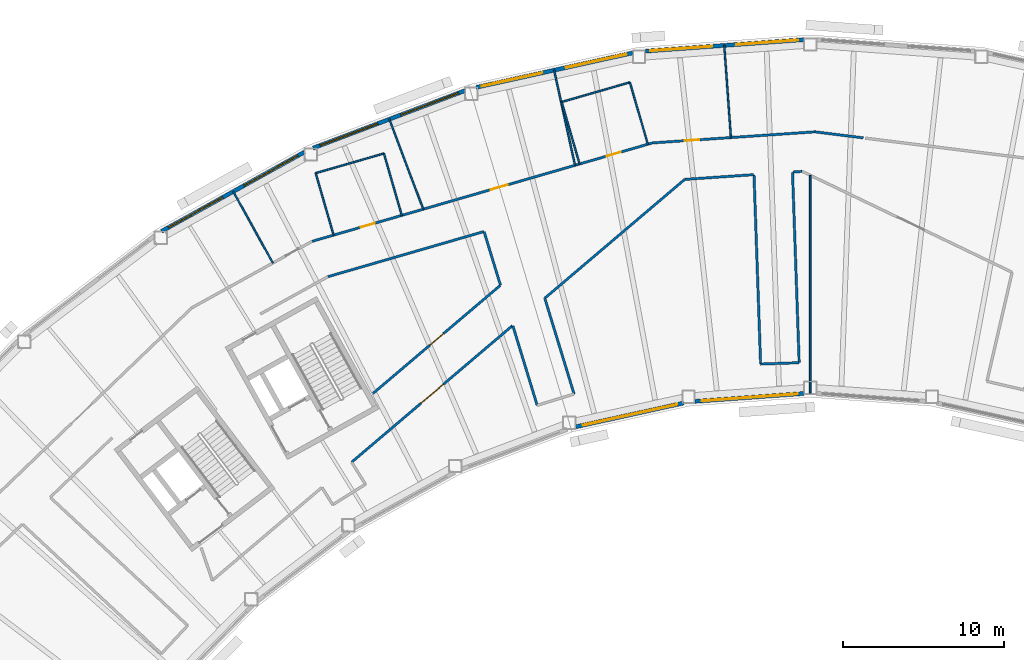
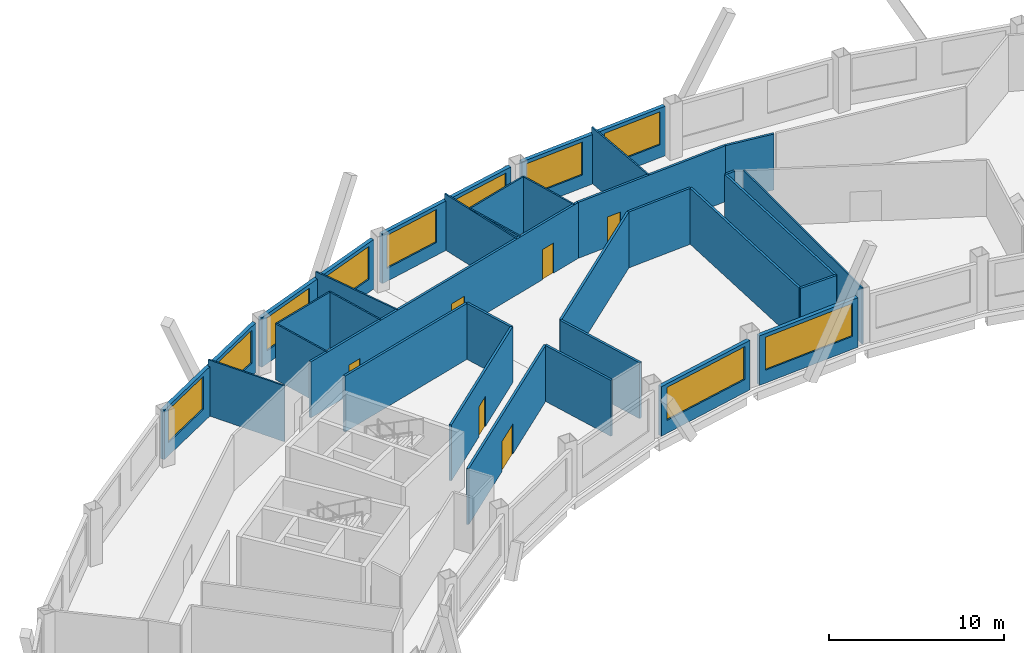
# One storey, part 6 of 12: 32 walls, 10 windows, 6 doors, 16 openings.
"""IFC4 building model written with IfcOpenShell, lengths in metres."""

from ifc_helpers import new_model, si_unit, direction, frame, frame_2d, origin, place, context, subcontext, project, spatial, rectangle, extrude, material, layer, layer_set, type_object, element, fill, save


model = new_model("IFC4")

# Units and contexts
model_context = context("Model", 3, precision=1e-05, world=origin(), true_north=direction((0.0, 1.0)))
body_context = subcontext(model_context, "Body", "Model", "MODEL_VIEW")
ifc_project = project(units=[si_unit("LENGTHUNIT", "METRE"), si_unit("AREAUNIT", "SQUARE_METRE"), si_unit("VOLUMEUNIT", "CUBIC_METRE"), si_unit("PLANEANGLEUNIT", "RADIAN"), si_unit("MASSUNIT", "GRAM", prefix="KILO")], contexts=[model_context])

# Site, building, storey
site_placement = place(None, origin())
site = spatial("IfcSite", under=ifc_project, at=site_placement, CompositionType="ELEMENT")
building_placement = place(site_placement, origin())
building = spatial("IfcBuilding", under=site, at=building_placement, Name="Tuul Gate Civic Tower", CompositionType="ELEMENT")
storey_placement = place(building_placement, frame((0.0, 0.0, 328.10009765625)))
storey = spatial("IfcBuildingStorey", under=building, at=storey_placement, Name="Level 74", CompositionType="ELEMENT", Elevation=328.10009765625)

# Wall, opening, door
ifc_material_1 = material(Name="Gypsum board partition")
ifc_layer_1 = layer(ifc_material_1, 0.14990234375)
ifc_layer_set_1 = layer_set([ifc_layer_1], Name="Gypsum board partition")
wall_type_1 = type_object("IfcWallType", Name="Corridor wall P150", PredefinedType="PARTITIONING", material=ifc_layer_set_1)
wall_1_placement = place(storey_placement, frame((-7.627197265625, 7.70263671875, 0.0), z_axis=(0.0, 0.0, 1.0), x_axis=(0.997685066746, 0.068003732193, 0.0)))
wall_1 = element("IfcWall", 1, at=wall_1_placement, inside=storey, type_object=wall_type_1, Name="p003", PredefinedType="PARTITIONING", context=body_context, shape_type="SweptSolid", body=[
    extrude(rectangle(XDim=10.138427734375, YDim=0.14990234375, at=frame_2d((5.0693359375, 0.0))), origin(), (0.0, 0.0, 1.0), 3.89990234375),
])
opening_1_placement = place(wall_1_placement, frame((2.013671875, 0.0, 0.0)))
opening_1 = element("IfcOpeningElement", 2, at=opening_1_placement, cuts=wall_1, Name="Opening AB-D11", PredefinedType="OPENING", context=body_context, shape_type="SweptSolid", body=[
    extrude(rectangle(XDim=0.89990234375, YDim=2.10009765625, at=frame_2d((0.449951171875, 1.050048828125))), frame((0.0, 0.0849609375, 0.0), z_axis=(0.0, -1.0, 0.0), x_axis=(1.0, 0.0, 0.0)), (0.0, 0.0, 1.0), 0.169921875),
])
ifc_material_2 = material(Name="Timber door leaf", Category="wood")
door_type_1 = type_object("IfcDoorType", Name="Door D09", OperationType="NOTDEFINED", PredefinedType="DOOR", material=ifc_material_2)
door_1_placement = place(opening_1_placement, origin())
door_1 = element("IfcDoor", 3, at=door_1_placement, inside=storey, type_object=door_type_1, Name="Door AB-D11", OperationType="SINGLE_SWING_RIGHT", OverallHeight=2.10009765625, OverallWidth=0.89990234375, PredefinedType="DOOR", context=body_context, shape_type="SweptSolid", body=[
    extrude(rectangle(XDim=0.89990234375, YDim=2.10009765625, at=frame_2d((0.449951171875, 1.050048828125))), frame((0.0, 0.02490234375, 0.0), z_axis=(0.0, -1.0, 0.0), x_axis=(1.0, 0.0, 0.0)), (0.0, 0.0, 1.0), 0.050048828125),
])
fill(opening_1, door_1)

# Wall
wall_2_placement = place(storey_placement, frame((2.48779296875, 8.39208984375, 0.0), z_axis=(0.0, 0.0, 1.0), x_axis=(0.992296478197, -0.123885831952, 0.0)))
element("IfcWall", 4, at=wall_2_placement, inside=storey, type_object=wall_type_1, Name="p013", PredefinedType="PARTITIONING", context=body_context, shape_type="SweptSolid", body=[
    extrude(rectangle(XDim=3.027099609375, YDim=0.14990234375, at=frame_2d((1.513671875, 0.0))), origin(), (0.0, 0.0, 1.0), 3.89990234375),
])

# Wall, openings, doors
wall_3_placement = place(storey_placement, frame((-28.7939453125, 1.5810546875, 0.0), z_axis=(0.0, 0.0, 1.0), x_axis=(0.960632535505, 0.277822122461, 0.0)))
wall_3 = element("IfcWall", 5, at=wall_3_placement, inside=storey, type_object=wall_type_1, Name="p017", PredefinedType="PARTITIONING", context=body_context, shape_type="SweptSolid", body=[
    extrude(rectangle(XDim=22.0341796875, YDim=0.14990234375, at=frame_2d((11.01708984375, 0.0))), origin(), (0.0, 0.0, 1.0), 3.89990234375),
])
opening_2_placement = place(wall_3_placement, frame((19.080078125, 0.0, 0.0)))
opening_2 = element("IfcOpeningElement", 6, at=opening_2_placement, cuts=wall_3, Name="Opening AB-D02", PredefinedType="OPENING", context=body_context, shape_type="SweptSolid", body=[
    extrude(rectangle(XDim=0.89990234375, YDim=2.10009765625, at=frame_2d((0.449951171875, 1.050048828125))), frame((0.0, 0.0849609375, 0.0), z_axis=(0.0, -1.0, 0.0), x_axis=(1.0, 0.0, 0.0)), (0.0, 0.0, 1.0), 0.169921875),
])
opening_3_placement = place(wall_3_placement, frame((11.562744140625, 0.0, 0.0)))
opening_3 = element("IfcOpeningElement", 7, at=opening_3_placement, cuts=wall_3, Name="Opening AB-D03", PredefinedType="OPENING", context=body_context, shape_type="SweptSolid", body=[
    extrude(rectangle(XDim=1.10009765625, YDim=2.10009765625, at=frame_2d((0.550048828125, 1.050048828125))), frame((0.0, 0.0849609375, 0.0), z_axis=(0.0, -1.0, 0.0), x_axis=(1.0, 0.0, 0.0)), (0.0, 0.0, 1.0), 0.169921875),
])
opening_4_placement = place(wall_3_placement, frame((3.14990234375, 0.0, 0.0)))
opening_4 = element("IfcOpeningElement", 8, at=opening_4_placement, cuts=wall_3, Name="Opening AB-D04", PredefinedType="OPENING", context=body_context, shape_type="SweptSolid", body=[
    extrude(rectangle(XDim=0.89990234375, YDim=2.10009765625, at=frame_2d((0.449951171875, 1.050048828125))), frame((0.0, 0.0849609375, 0.0), z_axis=(0.0, -1.0, 0.0), x_axis=(1.0, 0.0, 0.0)), (0.0, 0.0, 1.0), 0.169921875),
])
door_2_placement = place(opening_2_placement, origin())
door_2 = element("IfcDoor", 9, at=door_2_placement, inside=storey, type_object=door_type_1, Name="Door AB-D02", OperationType="SINGLE_SWING_RIGHT", OverallHeight=2.10009765625, OverallWidth=0.89990234375, PredefinedType="DOOR", context=body_context, shape_type="SweptSolid", body=[
    extrude(rectangle(XDim=0.89990234375, YDim=2.10009765625, at=frame_2d((0.449951171875, 1.050048828125))), frame((0.0, 0.02490234375, 0.0), z_axis=(0.0, -1.0, 0.0), x_axis=(1.0, 0.0, 0.0)), (0.0, 0.0, 1.0), 0.050048828125),
])
fill(opening_2, door_2)
door_3_placement = place(opening_4_placement, origin())
door_3 = element("IfcDoor", 10, at=door_3_placement, inside=storey, type_object=door_type_1, Name="Door AB-D04", OperationType="SINGLE_SWING_RIGHT", OverallHeight=2.10009765625, OverallWidth=0.89990234375, PredefinedType="DOOR", context=body_context, shape_type="SweptSolid", body=[
    extrude(rectangle(XDim=0.89990234375, YDim=2.10009765625, at=frame_2d((0.449951171875, 1.050048828125))), frame((0.0, 0.02490234375, 0.0), z_axis=(0.0, -1.0, 0.0), x_axis=(1.0, 0.0, 0.0)), (0.0, 0.0, 1.0), 0.050048828125),
])
fill(opening_4, door_3)
ifc_material_3 = material(Name="Timber door leaf", Category="wood")
door_type_2 = type_object("IfcDoorType", Name="Door D11", OperationType="NOTDEFINED", PredefinedType="DOOR", material=ifc_material_3)
door_4_placement = place(opening_3_placement, origin())
door_4 = element("IfcDoor", 11, at=door_4_placement, inside=storey, type_object=door_type_2, Name="Door AB-D03", OperationType="SINGLE_SWING_RIGHT", OverallHeight=2.10009765625, OverallWidth=1.10009765625, PredefinedType="DOOR", context=body_context, shape_type="SweptSolid", body=[
    extrude(rectangle(XDim=1.10009765625, YDim=2.10009765625, at=frame_2d((0.550048828125, 1.050048828125))), frame((0.0, 0.02490234375, 0.0), z_axis=(0.0, -1.0, 0.0), x_axis=(1.0, 0.0, 0.0)), (0.0, 0.0, 1.0), 0.050048828125),
])
fill(opening_3, door_4)

# Wall, opening, door
wall_4_placement = place(storey_placement, frame((-26.322021484375, -12.1455078125, 0.0), z_axis=(0.0, 0.0, 1.0), x_axis=(0.762341428819, 0.647175050436, 0.0)))
wall_4 = element("IfcWall", 12, at=wall_4_placement, inside=storey, type_object=wall_type_1, Name="p056", PredefinedType="PARTITIONING", context=body_context, shape_type="SweptSolid", body=[
    extrude(rectangle(XDim=13.10302734375, YDim=0.14990234375, at=frame_2d((6.551513671875, 0.0))), origin(), (0.0, 0.0, 1.0), 3.89990234375),
])
opening_5_placement = place(wall_4_placement, frame((5.651611328125, 0.0, 0.0)))
opening_5 = element("IfcOpeningElement", 13, at=opening_5_placement, cuts=wall_4, Name="Opening AB-D08", PredefinedType="OPENING", context=body_context, shape_type="SweptSolid", body=[
    extrude(rectangle(XDim=1.800048828125, YDim=2.10009765625, at=frame_2d((0.89990234375, 1.050048828125))), frame((0.0, 0.0849609375, 0.0), z_axis=(0.0, -1.0, 0.0), x_axis=(1.0, 0.0, 0.0)), (0.0, 0.0, 1.0), 0.169921875),
])
ifc_material_4 = material(Name="Timber door leaf, double", Category="wood")
door_type_3 = type_object("IfcDoorType", Name="Door D18", OperationType="DOUBLE_DOOR_SINGLE_SWING", PredefinedType="DOOR", material=ifc_material_4)
door_5_placement = place(opening_5_placement, frame((1.800048828125, 0.0, 0.0), z_axis=(0.0, 0.0, 1.0), x_axis=(-1.0, 0.0, 0.0)))
door_5 = element("IfcDoor", 14, at=door_5_placement, inside=storey, type_object=door_type_3, Name="Door AB-D08", OperationType="DOUBLE_DOOR_SINGLE_SWING", OverallHeight=2.10009765625, OverallWidth=1.800048828125, PredefinedType="DOOR", context=body_context, shape_type="SweptSolid", body=[
    extrude(rectangle(XDim=1.800048828125, YDim=2.10009765625, at=frame_2d((0.900146484375, 1.050048828125))), frame((0.0, 0.02490234375, 0.0), z_axis=(0.0, -1.0, 0.0), x_axis=(1.0, 0.0, 0.0)), (0.0, 0.0, 1.0), 0.050048828125),
])
fill(opening_5, door_5)

# Walls
wall_5_placement = place(storey_placement, frame((-14.310302734375, -1.9482421875, 0.0), z_axis=(0.0, 0.0, 1.0), x_axis=(0.762343916127, 0.647172120494, 0.0)))
element("IfcWall", 15, at=wall_5_placement, inside=storey, type_object=wall_type_1, Name="p057", PredefinedType="PARTITIONING", context=body_context, shape_type="SweptSolid", body=[
    extrude(rectangle(XDim=11.400146484375, YDim=0.14990234375, at=frame_2d((5.7001953125, 0.0))), origin(), (0.0, 0.0, 1.0), 3.89990234375),
])
wall_6_placement = place(storey_placement, frame((-18.092529296875, 2.1728515625, 0.0), z_axis=(0.0, 0.0, 1.0), x_axis=(0.292335056515, -0.956315959677, 0.0)))
element("IfcWall", 16, at=wall_6_placement, inside=storey, type_object=wall_type_1, Name="p061", PredefinedType="PARTITIONING", context=body_context, shape_type="SweptSolid", body=[
    extrude(rectangle(XDim=3.4599609375, YDim=0.14990234375, at=frame_2d((1.72998046875, 0.0))), origin(), (0.0, 0.0, 1.0), 3.89990234375),
])
wall_7_placement = place(storey_placement, frame((-16.30419921875, -3.67724609375, 0.0), z_axis=(0.0, 0.0, 1.0), x_axis=(0.292375757816, -0.956303516799, 0.0)))
element("IfcWall", 17, at=wall_7_placement, inside=storey, type_object=wall_type_1, Name="p062", PredefinedType="PARTITIONING", context=body_context, shape_type="SweptSolid", body=[
    extrude(rectangle(XDim=5.16796875, YDim=0.14990234375, at=frame_2d((2.583984375, 0.0))), origin(), (0.0, 0.0, 1.0), 3.89990234375),
])
wall_8_placement = place(storey_placement, frame((-14.316650390625, -1.96923828125, 0.0), z_axis=(0.0, 0.0, 1.0), x_axis=(0.292367108345, -0.956306161205, 0.0)))
element("IfcWall", 18, at=wall_8_placement, inside=storey, type_object=wall_type_1, Name="p064", PredefinedType="PARTITIONING", context=body_context, shape_type="SweptSolid", body=[
    extrude(rectangle(XDim=6.22021484375, YDim=0.14990234375, at=frame_2d((3.110107421875, 0.0))), origin(), (0.0, 0.0, 1.0), 3.89990234375),
])
wall_9_placement = place(storey_placement, frame((-5.610107421875, 5.4345703125, 0.0), z_axis=(0.0, 0.0, 1.0), x_axis=(0.997684131253, 0.068017455451, 0.0)))
element("IfcWall", 19, at=wall_9_placement, inside=storey, type_object=wall_type_1, Name="p065", PredefinedType="PARTITIONING", context=body_context, shape_type="SweptSolid", body=[
    extrude(rectangle(XDim=4.29296875, YDim=0.14990234375, at=frame_2d((2.146484375, 0.0))), origin(), (0.0, 0.0, 1.0), 3.89990234375),
])
wall_10_placement = place(storey_placement, frame((1.108642578125, 5.892578125, 0.0), z_axis=(0.0, 0.0, 1.0), x_axis=(0.997668816665, 0.06824171931, 0.0)))
element("IfcWall", 20, at=wall_10_placement, inside=storey, type_object=wall_type_1, Name="p066", PredefinedType="PARTITIONING", context=body_context, shape_type="SweptSolid", body=[
    extrude(rectangle(XDim=0.583251953125, YDim=0.14990234375, at=frame_2d((0.29150390625, 0.0))), origin(), (0.0, 0.0, 1.0), 3.89990234375),
])
wall_11_placement = place(storey_placement, frame((-1.305908203125, 5.707275390625, 0.0), z_axis=(0.0, 0.0, 1.0), x_axis=(0.034918900954, -0.999390149219, 0.0)))
element("IfcWall", 21, at=wall_11_placement, inside=storey, type_object=wall_type_1, Name="p067", PredefinedType="PARTITIONING", context=body_context, shape_type="SweptSolid", body=[
    extrude(rectangle(XDim=11.766845703125, YDim=0.14990234375, at=frame_2d((5.88330078125, 0.0))), origin(), (0.0, 0.0, 1.0), 3.89990234375),
])
wall_12_placement = place(storey_placement, frame((-0.89501953125, -6.052490234375, 0.0), z_axis=(0.0, 0.0, 1.0), x_axis=(0.999387493042, 0.034994838926, 0.0)))
element("IfcWall", 22, at=wall_12_placement, inside=storey, type_object=wall_type_1, Name="p068", PredefinedType="PARTITIONING", context=body_context, shape_type="SweptSolid", body=[
    extrude(rectangle(XDim=2.39990234375, YDim=0.14990234375, at=frame_2d((1.199951171875, 0.0))), origin(), (0.0, 0.0, 1.0), 3.89990234375),
])
wall_13_placement = place(storey_placement, frame((1.090087890625, 5.875732421875, 0.0), z_axis=(0.0, 0.0, 1.0), x_axis=(0.034875913426, -0.999391650287, 0.0)))
element("IfcWall", 23, at=wall_13_placement, inside=storey, type_object=wall_type_1, Name="p069", PredefinedType="PARTITIONING", context=body_context, shape_type="SweptSolid", body=[
    extrude(rectangle(XDim=11.8515625, YDim=0.14990234375, at=frame_2d((5.92578125, 0.0))), origin(), (0.0, 0.0, 1.0), 3.89990234375),
])
wall_14_placement = place(storey_placement, frame((-27.810302734375, -0.6181640625, 0.0), z_axis=(0.0, 0.0, 1.0), x_axis=(0.960602858486, 0.277924716909, 0.0)))
element("IfcWall", 24, at=wall_14_placement, inside=storey, type_object=wall_type_1, Name="p074", PredefinedType="PARTITIONING", context=body_context, shape_type="SweptSolid", body=[
    extrude(rectangle(XDim=10.090576171875, YDim=0.14990234375, at=frame_2d((5.04541015625, 0.0))), origin(), (0.0, 0.0, 1.0), 3.89990234375),
])

# Wall, opening, door
wall_15_placement = place(storey_placement, frame((-25.00390625, -7.878173828125, 0.0), z_axis=(0.0, 0.0, 1.0), x_axis=(0.762321434151, 0.647198602466, 0.0)))
wall_15 = element("IfcWall", 25, at=wall_15_placement, inside=storey, type_object=wall_type_1, Name="p075", PredefinedType="PARTITIONING", context=body_context, shape_type="SweptSolid", body=[
    extrude(rectangle(XDim=10.385009765625, YDim=0.14990234375, at=frame_2d((5.1923828125, 0.0))), origin(), (0.0, 0.0, 1.0), 3.89990234375),
])
opening_6_placement = place(wall_15_placement, frame((4.642578125, 0.0, 0.0)))
opening_6 = element("IfcOpeningElement", 26, at=opening_6_placement, cuts=wall_15, Name="Opening AB-D10", PredefinedType="OPENING", context=body_context, shape_type="SweptSolid", body=[
    extrude(rectangle(XDim=1.10009765625, YDim=2.10009765625, at=frame_2d((0.550048828125, 1.050048828125))), frame((0.0, 0.0849609375, 0.0), z_axis=(0.0, -1.0, 0.0), x_axis=(1.0, 0.0, 0.0)), (0.0, 0.0, 1.0), 0.169921875),
])
door_6_placement = place(opening_6_placement, origin())
door_6 = element("IfcDoor", 27, at=door_6_placement, inside=storey, type_object=door_type_2, Name="Door AB-D10", OperationType="SINGLE_SWING_RIGHT", OverallHeight=2.10009765625, OverallWidth=1.10009765625, PredefinedType="DOOR", context=body_context, shape_type="SweptSolid", body=[
    extrude(rectangle(XDim=1.10009765625, YDim=2.10009765625, at=frame_2d((0.550048828125, 1.050048828125))), frame((0.0, 0.02490234375, 0.0), z_axis=(0.0, -1.0, 0.0), x_axis=(1.0, 0.0, 0.0)), (0.0, 0.0, 1.0), 0.050048828125),
])
fill(opening_6, door_6)

# Wall, openings, windows
ifc_material_5 = material(Name="Precast concrete C40/50", Category="concrete")
ifc_layer_2 = layer(ifc_material_5, 0.25)
ifc_layer_set_2 = layer_set([ifc_layer_2], Name="Precast concrete C40/50")
wall_type_2 = type_object("IfcWallType", Name="External wall", PredefinedType="STANDARD", material=ifc_layer_set_2)
wall_16_placement = place(storey_placement, frame((1.7919921875, 14.124755859375, 0.0), z_axis=(0.0, 0.0, 1.0), x_axis=(-0.997387042659, -0.072243249762, 0.0)))
wall_16 = element("IfcWall", 28, at=wall_16_placement, inside=storey, type_object=wall_type_2, Name="External wall", PredefinedType="STANDARD", context=body_context, shape_type="SweptSolid", body=[
    extrude(rectangle(XDim=9.874755859375, YDim=0.25, at=frame_2d((4.9375, 0.0))), origin(), (0.0, 0.0, 1.0), 3.449951171875),
])
opening_7_placement = place(wall_16_placement, frame((0.350341796875, 0.0, 0.89990234375)))
opening_7 = element("IfcOpeningElement", 29, at=opening_7_placement, cuts=wall_16, Name="Opening W22", PredefinedType="OPENING", context=body_context, shape_type="SweptSolid", body=[
    extrude(rectangle(XDim=3.85009765625, YDim=2.300048828125, at=frame_2d((1.925048828125, 1.14990234375))), frame((0.0, 0.135009765625, 0.0), z_axis=(0.0, -1.0, 0.0), x_axis=(1.0, 0.0, 0.0)), (0.0, 0.0, 1.0), 0.27001953125),
])
opening_8_placement = place(wall_16_placement, frame((5.721435546875, 0.0, 0.89990234375)))
opening_8 = element("IfcOpeningElement", 30, at=opening_8_placement, cuts=wall_16, Name="Opening W22", PredefinedType="OPENING", context=body_context, shape_type="SweptSolid", body=[
    extrude(rectangle(XDim=3.85009765625, YDim=2.300048828125, at=frame_2d((1.925048828125, 1.14990234375))), frame((0.0, 0.135009765625, 0.0), z_axis=(0.0, -1.0, 0.0), x_axis=(1.0, 0.0, 0.0)), (0.0, 0.0, 1.0), 0.27001953125),
])
ifc_material_6 = material(Name="Glass", Category="glass")
window_type_1 = type_object("IfcWindowType", Name="Window W22 3850 x 2300", PartitioningType="SINGLE_PANEL", PredefinedType="WINDOW", material=ifc_material_6)
window_1_placement = place(opening_7_placement, origin())
window_1 = element("IfcWindow", 31, at=window_1_placement, inside=storey, type_object=window_type_1, Name="Window", OverallHeight=2.300048828125, OverallWidth=3.85009765625, PartitioningType="SINGLE_PANEL", PredefinedType="WINDOW", context=body_context, shape_type="SweptSolid", body=[
    extrude(rectangle(XDim=3.85009765625, YDim=2.300048828125, at=frame_2d((1.925048828125, 1.14990234375))), frame((0.0, 0.030029296875, 0.0), z_axis=(0.0, -1.0, 0.0), x_axis=(1.0, 0.0, 0.0)), (0.0, 0.0, 1.0), 0.06005859375),
])
fill(opening_7, window_1)
window_2_placement = place(opening_8_placement, origin())
window_2 = element("IfcWindow", 32, at=window_2_placement, inside=storey, type_object=window_type_1, Name="Window", OverallHeight=2.300048828125, OverallWidth=3.85009765625, PartitioningType="SINGLE_PANEL", PredefinedType="WINDOW", context=body_context, shape_type="SweptSolid", body=[
    extrude(rectangle(XDim=3.85009765625, YDim=2.300048828125, at=frame_2d((1.925048828125, 1.14990234375))), frame((0.0, 0.030029296875, 0.0), z_axis=(0.0, -1.0, 0.0), x_axis=(1.0, 0.0, 0.0)), (0.0, 0.0, 1.0), 0.06005859375),
])
fill(opening_8, window_2)

wall_17_placement = place(storey_placement, frame((-8.85693359375, 13.30126953125, 0.0), z_axis=(0.0, 0.0, 1.0), x_axis=(-0.97656455672, -0.215224688544, 0.0)))
wall_17 = element("IfcWall", 33, at=wall_17_placement, inside=storey, type_object=wall_type_2, Name="External wall", PredefinedType="STANDARD", context=body_context, shape_type="SweptSolid", body=[
    extrude(rectangle(XDim=9.95849609375, YDim=0.25, at=frame_2d((4.979248046875, 0.0))), origin(), (0.0, 0.0, 1.0), 3.449951171875),
])
opening_9_placement = place(wall_17_placement, frame((0.39013671875, 0.0, 0.89990234375)))
opening_9 = element("IfcOpeningElement", 34, at=opening_9_placement, cuts=wall_17, Name="Opening W22", PredefinedType="OPENING", context=body_context, shape_type="SweptSolid", body=[
    extrude(rectangle(XDim=3.85009765625, YDim=2.300048828125, at=frame_2d((1.925048828125, 1.14990234375))), frame((0.0, 0.135009765625, 0.0), z_axis=(0.0, -1.0, 0.0), x_axis=(1.0, 0.0, 0.0)), (0.0, 0.0, 1.0), 0.27001953125),
])
opening_10_placement = place(wall_17_placement, frame((5.761474609375, 0.0, 0.89990234375)))
opening_10 = element("IfcOpeningElement", 35, at=opening_10_placement, cuts=wall_17, Name="Opening W22", PredefinedType="OPENING", context=body_context, shape_type="SweptSolid", body=[
    extrude(rectangle(XDim=3.85009765625, YDim=2.300048828125, at=frame_2d((1.925048828125, 1.14990234375))), frame((0.0, 0.135009765625, 0.0), z_axis=(0.0, -1.0, 0.0), x_axis=(1.0, 0.0, 0.0)), (0.0, 0.0, 1.0), 0.27001953125),
])
window_3_placement = place(opening_9_placement, origin())
window_3 = element("IfcWindow", 36, at=window_3_placement, inside=storey, type_object=window_type_1, Name="Window", OverallHeight=2.300048828125, OverallWidth=3.85009765625, PartitioningType="SINGLE_PANEL", PredefinedType="WINDOW", context=body_context, shape_type="SweptSolid", body=[
    extrude(rectangle(XDim=3.85009765625, YDim=2.300048828125, at=frame_2d((1.925048828125, 1.14990234375))), frame((0.0, 0.030029296875, 0.0), z_axis=(0.0, -1.0, 0.0), x_axis=(1.0, 0.0, 0.0)), (0.0, 0.0, 1.0), 0.06005859375),
])
fill(opening_9, window_3)
window_4_placement = place(opening_10_placement, origin())
window_4 = element("IfcWindow", 37, at=window_4_placement, inside=storey, type_object=window_type_1, Name="Window", OverallHeight=2.300048828125, OverallWidth=3.85009765625, PartitioningType="SINGLE_PANEL", PredefinedType="WINDOW", context=body_context, shape_type="SweptSolid", body=[
    extrude(rectangle(XDim=3.85009765625, YDim=2.300048828125, at=frame_2d((1.925048828125, 1.14990234375))), frame((0.0, 0.030029296875, 0.0), z_axis=(0.0, -1.0, 0.0), x_axis=(1.0, 0.0, 0.0)), (0.0, 0.0, 1.0), 0.06005859375),
])
fill(opening_10, window_4)

wall_18_placement = place(storey_placement, frame((-19.284912109375, 10.95458984375, 0.0), z_axis=(0.0, 0.0, 1.0), x_axis=(-0.93534700963, -0.353731496444, 0.0)))
wall_18 = element("IfcWall", 38, at=wall_18_placement, inside=storey, type_object=wall_type_2, Name="External wall", PredefinedType="STANDARD", context=body_context, shape_type="SweptSolid", body=[
    extrude(rectangle(XDim=10.099609375, YDim=0.25, at=frame_2d((5.0498046875, 0.0))), origin(), (0.0, 0.0, 1.0), 3.449951171875),
])
opening_11_placement = place(wall_18_placement, frame((0.422607421875, 0.0, 0.89990234375)))
opening_11 = element("IfcOpeningElement", 39, at=opening_11_placement, cuts=wall_18, Name="Opening W22", PredefinedType="OPENING", context=body_context, shape_type="SweptSolid", body=[
    extrude(rectangle(XDim=3.85009765625, YDim=2.300048828125, at=frame_2d((1.925048828125, 1.14990234375))), frame((0.0, 0.135009765625, 0.0), z_axis=(0.0, -1.0, 0.0), x_axis=(1.0, 0.0, 0.0)), (0.0, 0.0, 1.0), 0.27001953125),
])
opening_12_placement = place(wall_18_placement, frame((5.7939453125, 0.0, 0.89990234375)))
opening_12 = element("IfcOpeningElement", 40, at=opening_12_placement, cuts=wall_18, Name="Opening W22", PredefinedType="OPENING", context=body_context, shape_type="SweptSolid", body=[
    extrude(rectangle(XDim=3.85009765625, YDim=2.300048828125, at=frame_2d((1.925048828125, 1.14990234375))), frame((0.0, 0.135009765625, 0.0), z_axis=(0.0, -1.0, 0.0), x_axis=(1.0, 0.0, 0.0)), (0.0, 0.0, 1.0), 0.27001953125),
])
window_5_placement = place(opening_11_placement, origin())
window_5 = element("IfcWindow", 41, at=window_5_placement, inside=storey, type_object=window_type_1, Name="Window", OverallHeight=2.300048828125, OverallWidth=3.85009765625, PartitioningType="SINGLE_PANEL", PredefinedType="WINDOW", context=body_context, shape_type="SweptSolid", body=[
    extrude(rectangle(XDim=3.85009765625, YDim=2.300048828125, at=frame_2d((1.925048828125, 1.14990234375))), frame((0.0, 0.030029296875, 0.0), z_axis=(0.0, -1.0, 0.0), x_axis=(1.0, 0.0, 0.0)), (0.0, 0.0, 1.0), 0.06005859375),
])
fill(opening_11, window_5)
window_6_placement = place(opening_12_placement, origin())
window_6 = element("IfcWindow", 42, at=window_6_placement, inside=storey, type_object=window_type_1, Name="Window", OverallHeight=2.300048828125, OverallWidth=3.85009765625, PartitioningType="SINGLE_PANEL", PredefinedType="WINDOW", context=body_context, shape_type="SweptSolid", body=[
    extrude(rectangle(XDim=3.85009765625, YDim=2.300048828125, at=frame_2d((1.925048828125, 1.14990234375))), frame((0.0, 0.030029296875, 0.0), z_axis=(0.0, -1.0, 0.0), x_axis=(1.0, 0.0, 0.0)), (0.0, 0.0, 1.0), 0.06005859375),
])
fill(opening_12, window_6)

wall_19_placement = place(storey_placement, frame((-29.27197265625, 7.131103515625, 0.0), z_axis=(0.0, 0.0, 1.0), x_axis=(-0.87463511472, -0.484781823193, 0.0)))
wall_19 = element("IfcWall", 43, at=wall_19_placement, inside=storey, type_object=wall_type_2, Name="External wall", PredefinedType="STANDARD", context=body_context, shape_type="SweptSolid", body=[
    extrude(rectangle(XDim=10.161376953125, YDim=0.25, at=frame_2d((5.08056640625, 0.0))), origin(), (0.0, 0.0, 1.0), 3.449951171875),
])
opening_13_placement = place(wall_19_placement, frame((0.4501953125, 0.0, 0.89990234375)))
opening_13 = element("IfcOpeningElement", 44, at=opening_13_placement, cuts=wall_19, Name="Opening W22", PredefinedType="OPENING", context=body_context, shape_type="SweptSolid", body=[
    extrude(rectangle(XDim=3.85009765625, YDim=2.300048828125, at=frame_2d((1.925048828125, 1.14990234375))), frame((0.0, 0.135009765625, 0.0), z_axis=(0.0, -1.0, 0.0), x_axis=(1.0, 0.0, 0.0)), (0.0, 0.0, 1.0), 0.27001953125),
])
opening_14_placement = place(wall_19_placement, frame((5.821533203125, 0.0, 0.89990234375)))
opening_14 = element("IfcOpeningElement", 45, at=opening_14_placement, cuts=wall_19, Name="Opening W22", PredefinedType="OPENING", context=body_context, shape_type="SweptSolid", body=[
    extrude(rectangle(XDim=3.85009765625, YDim=2.300048828125, at=frame_2d((1.925048828125, 1.14990234375))), frame((0.0, 0.135009765625, 0.0), z_axis=(0.0, -1.0, 0.0), x_axis=(1.0, 0.0, 0.0)), (0.0, 0.0, 1.0), 0.27001953125),
])
window_7_placement = place(opening_13_placement, origin())
window_7 = element("IfcWindow", 46, at=window_7_placement, inside=storey, type_object=window_type_1, Name="Window", OverallHeight=2.300048828125, OverallWidth=3.85009765625, PartitioningType="SINGLE_PANEL", PredefinedType="WINDOW", context=body_context, shape_type="SweptSolid", body=[
    extrude(rectangle(XDim=3.85009765625, YDim=2.300048828125, at=frame_2d((1.925048828125, 1.14990234375))), frame((0.0, 0.030029296875, 0.0), z_axis=(0.0, -1.0, 0.0), x_axis=(1.0, 0.0, 0.0)), (0.0, 0.0, 1.0), 0.06005859375),
])
fill(opening_13, window_7)
window_8_placement = place(opening_14_placement, origin())
window_8 = element("IfcWindow", 47, at=window_8_placement, inside=storey, type_object=window_type_1, Name="Window", OverallHeight=2.300048828125, OverallWidth=3.85009765625, PartitioningType="SINGLE_PANEL", PredefinedType="WINDOW", context=body_context, shape_type="SweptSolid", body=[
    extrude(rectangle(XDim=3.85009765625, YDim=2.300048828125, at=frame_2d((1.925048828125, 1.14990234375))), frame((0.0, 0.030029296875, 0.0), z_axis=(0.0, -1.0, 0.0), x_axis=(1.0, 0.0, 0.0)), (0.0, 0.0, 1.0), 0.06005859375),
])
fill(opening_14, window_8)

# Wall, opening, window
wall_20_placement = place(storey_placement, frame((-12.39404296875, -9.955322265625, 0.0), z_axis=(0.0, 0.0, 1.0), x_axis=(0.976561146318, 0.215240162382, 0.0)))
wall_20 = element("IfcWall", 48, at=wall_20_placement, inside=storey, type_object=wall_type_2, Name="External wall", PredefinedType="STANDARD", context=body_context, shape_type="SweptSolid", body=[
    extrude(rectangle(XDim=6.867919921875, YDim=0.25, at=frame_2d((3.43408203125, 0.0))), origin(), (0.0, 0.0, 1.0), 3.449951171875),
])
opening_15_placement = place(wall_20_placement, frame((0.458251953125, 0.0, 0.89990234375)))
opening_15 = element("IfcOpeningElement", 49, at=opening_15_placement, cuts=wall_20, Name="Opening W26", PredefinedType="OPENING", context=body_context, shape_type="SweptSolid", body=[
    extrude(rectangle(XDim=6.0, YDim=2.300048828125, at=frame_2d((3.0, 1.14990234375))), frame((0.0, 0.135009765625, 0.0), z_axis=(0.0, -1.0, 0.0), x_axis=(1.0, 0.0, 0.0)), (0.0, 0.0, 1.0), 0.27001953125),
])
ifc_material_7 = material(Name="Glass", Category="glass")
window_type_2 = type_object("IfcWindowType", Name="Window W26 6000 x 2300", PartitioningType="SINGLE_PANEL", PredefinedType="WINDOW", material=ifc_material_7)
window_9_placement = place(opening_15_placement, origin())
window_9 = element("IfcWindow", 50, at=window_9_placement, inside=storey, type_object=window_type_2, Name="Window", OverallHeight=2.300048828125, OverallWidth=6.0, PartitioningType="SINGLE_PANEL", PredefinedType="WINDOW", context=body_context, shape_type="SweptSolid", body=[
    extrude(rectangle(XDim=6.0, YDim=2.300048828125, at=frame_2d((3.0, 1.14990234375))), frame((0.0, 0.030029296875, 0.0), z_axis=(0.0, -1.0, 0.0), x_axis=(1.0, 0.0, 0.0)), (0.0, 0.0, 1.0), 0.06005859375),
])
fill(opening_15, window_9)

wall_21_placement = place(storey_placement, frame((-4.97998046875, -8.373291015625, 0.0), z_axis=(0.0, 0.0, 1.0), x_axis=(0.997384795983, 0.072274260578, 0.0)))
wall_21 = element("IfcWall", 51, at=wall_21_placement, inside=storey, type_object=wall_type_2, Name="External wall", PredefinedType="STANDARD", context=body_context, shape_type="SweptSolid", body=[
    extrude(rectangle(XDim=6.789794921875, YDim=0.25, at=frame_2d((3.39501953125, 0.0))), origin(), (0.0, 0.0, 1.0), 3.449951171875),
])
opening_16_placement = place(wall_21_placement, frame((0.41845703125, 0.0, 0.89990234375)))
opening_16 = element("IfcOpeningElement", 52, at=opening_16_placement, cuts=wall_21, Name="Opening W26", PredefinedType="OPENING", context=body_context, shape_type="SweptSolid", body=[
    extrude(rectangle(XDim=6.0, YDim=2.300048828125, at=frame_2d((3.0, 1.14990234375))), frame((0.0, 0.135009765625, 0.0), z_axis=(0.0, -1.0, 0.0), x_axis=(1.0, 0.0, 0.0)), (0.0, 0.0, 1.0), 0.27001953125),
])
window_10_placement = place(opening_16_placement, origin())
window_10 = element("IfcWindow", 53, at=window_10_placement, inside=storey, type_object=window_type_2, Name="Window", OverallHeight=2.300048828125, OverallWidth=6.0, PartitioningType="SINGLE_PANEL", PredefinedType="WINDOW", context=body_context, shape_type="SweptSolid", body=[
    extrude(rectangle(XDim=6.0, YDim=2.300048828125, at=frame_2d((3.0, 1.14990234375))), frame((0.0, 0.030029296875, 0.0), z_axis=(0.0, -1.0, 0.0), x_axis=(1.0, 0.0, 0.0)), (0.0, 0.0, 1.0), 0.06005859375),
])
fill(opening_16, window_10)

# Walls
ifc_material_8 = material(Name="Gypsum board partition")
ifc_layer_3 = layer(ifc_material_8, 0.10009765625)
ifc_layer_set_3 = layer_set([ifc_layer_3], Name="Gypsum board partition")
wall_type_3 = type_object("IfcWallType", Name="Partition P100", PredefinedType="PARTITIONING", material=ifc_layer_set_3)
wall_22_placement = place(storey_placement, frame((-3.156494140625, 13.771240234375, 0.0), z_axis=(0.0, 0.0, 1.0), x_axis=(0.072218559555, -0.997388830725, 0.0)))
element("IfcWall", 54, at=wall_22_placement, inside=storey, type_object=wall_type_3, Name="p016", PredefinedType="PARTITIONING", context=body_context, shape_type="SweptSolid", body=[
    extrude(rectangle(XDim=5.75048828125, YDim=0.10009765625, at=frame_2d((2.875244140625, 0.0))), origin(), (0.0, 0.0, 1.0), 3.89990234375),
])
wall_23_placement = place(storey_placement, frame((-13.269775390625, 10.2451171875, 0.0), z_axis=(0.0, 0.0, 1.0), x_axis=(0.2778156193, -0.960634416244, 0.0)))
element("IfcWall", 55, at=wall_23_placement, inside=storey, type_object=wall_type_3, Name="p018", PredefinedType="PARTITIONING", context=body_context, shape_type="SweptSolid", body=[
    extrude(rectangle(XDim=4.010009765625, YDim=0.10009765625, at=frame_2d((2.0048828125, 0.0))), origin(), (0.0, 0.0, 1.0), 3.89990234375),
])
wall_24_placement = place(storey_placement, frame((-28.57275390625, 5.8193359375, 0.0), z_axis=(0.0, 0.0, 1.0), x_axis=(0.960626747961, 0.277842133416, 0.0)))
element("IfcWall", 56, at=wall_24_placement, inside=storey, type_object=wall_type_3, Name="p019", PredefinedType="PARTITIONING", context=body_context, shape_type="SweptSolid", body=[
    extrude(rectangle(XDim=4.419921875, YDim=0.10009765625, at=frame_2d((2.2099609375, 0.0))), origin(), (0.0, 0.0, 1.0), 3.89990234375),
])
wall_25_placement = place(storey_placement, frame((-13.269775390625, 10.2451171875, 0.0), z_axis=(0.0, 0.0, 1.0), x_axis=(0.960631011712, 0.277827391267, 0.0)))
element("IfcWall", 57, at=wall_25_placement, inside=storey, type_object=wall_type_3, Name="p020", PredefinedType="PARTITIONING", context=body_context, shape_type="SweptSolid", body=[
    extrude(rectangle(XDim=4.420166015625, YDim=0.10009765625, at=frame_2d((2.2099609375, 0.0))), origin(), (0.0, 0.0, 1.0), 3.89990234375),
])
wall_26_placement = place(storey_placement, frame((-9.023681640625, 11.47314453125, 0.0), z_axis=(0.0, 0.0, 1.0), x_axis=(0.2778156193, -0.960634416244, 0.0)))
element("IfcWall", 58, at=wall_26_placement, inside=storey, type_object=wall_type_3, Name="p021", PredefinedType="PARTITIONING", context=body_context, shape_type="SweptSolid", body=[
    extrude(rectangle(XDim=4.010009765625, YDim=0.10009765625, at=frame_2d((2.0048828125, 0.0))), origin(), (0.0, 0.0, 1.0), 3.89990234375),
])
wall_27_placement = place(storey_placement, frame((-13.7421875, 12.229736328125, 0.0), z_axis=(0.0, 0.0, 1.0), x_axis=(0.215236786577, -0.97656189036, 0.0)))
element("IfcWall", 59, at=wall_27_placement, inside=storey, type_object=wall_type_3, Name="p022", PredefinedType="PARTITIONING", context=body_context, shape_type="SweptSolid", body=[
    extrude(rectangle(XDim=6.060546875, YDim=0.10009765625, at=frame_2d((3.0302734375, 0.0))), origin(), (0.0, 0.0, 1.0), 3.89990234375),
])
wall_28_placement = place(storey_placement, frame((-23.994873046875, 9.1787109375, 0.0), z_axis=(0.0, 0.0, 1.0), x_axis=(0.353697261747, -0.935359955863, 0.0)))
element("IfcWall", 60, at=wall_28_placement, inside=storey, type_object=wall_type_3, Name="p023", PredefinedType="PARTITIONING", context=body_context, shape_type="SweptSolid", body=[
    extrude(rectangle(XDim=5.984375, YDim=0.10009765625, at=frame_2d((2.9921875, 0.0))), origin(), (0.0, 0.0, 1.0), 3.89990234375),
])
for number, where, z_axis, x_axis, name in (
    (61, (-28.57275390625, 5.8193359375, 0.0), (0.0, 0.0, 1.0), (0.2778156193, -0.960634416244, 0.0), "p024"),
    (62, (-24.326904296875, 7.04736328125, 0.0), (0.0, 0.0, 1.0), (0.2778156193, -0.960634416244, 0.0), "p025"),
):
    element("IfcWall", number, at=place(storey_placement, frame(where, z_axis=z_axis, x_axis=x_axis)), inside=storey, type_object=wall_type_3, Name=name, PredefinedType="PARTITIONING", context=body_context, shape_type="SweptSolid", body=[
        extrude(rectangle(XDim=4.010009765625, YDim=0.10009765625, at=frame_2d((2.0048828125, 0.0))), origin(), (0.0, 0.0, 1.0), 3.89990234375),
    ])
wall_29_placement = place(storey_placement, frame((-33.700927734375, 4.681884765625, 0.0), z_axis=(0.0, 0.0, 1.0), x_axis=(0.484799250798, -0.874625454938, 0.0)))
element("IfcWall", 63, at=wall_29_placement, inside=storey, type_object=wall_type_3, Name="p032", PredefinedType="PARTITIONING", context=body_context, shape_type="SweptSolid", body=[
    extrude(rectangle(XDim=5.087158203125, YDim=0.10009765625, at=frame_2d((2.54345703125, 0.0))), origin(), (0.0, 0.0, 1.0), 3.89990234375),
])
wall_30_placement = place(storey_placement, frame((2.19189453125, -7.858642578125, 0.0), z_axis=(0.0, 0.0, 1.0), x_axis=(0.0, 1.0, 0.0)))
element("IfcWall", 64, at=wall_30_placement, inside=storey, type_object=wall_type_3, Name="p043", PredefinedType="PARTITIONING", context=body_context, shape_type="SweptSolid", body=[
    extrude(rectangle(XDim=13.550537109375, YDim=0.10009765625, at=frame_2d((6.775390625, 0.0))), origin(), (0.0, 0.0, 1.0), 3.89990234375),
])

save(model, "model.ifc")
